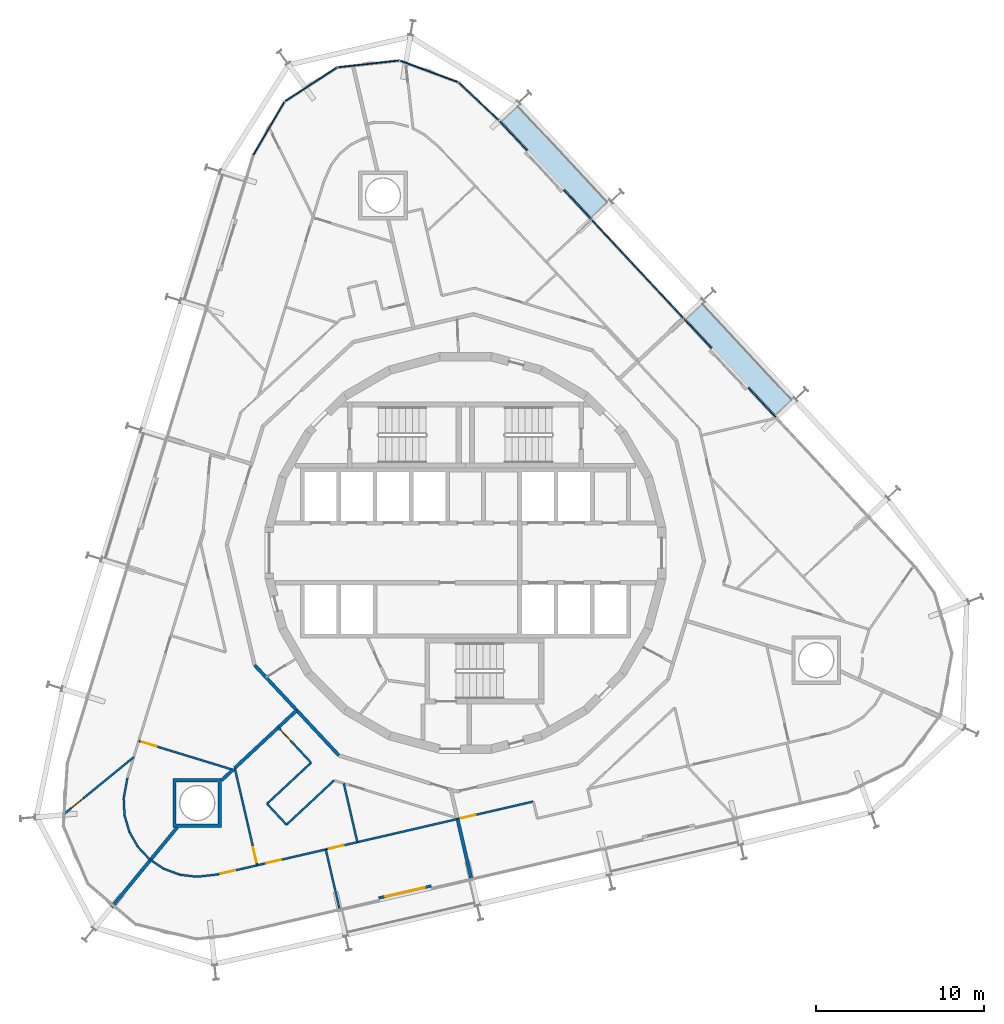
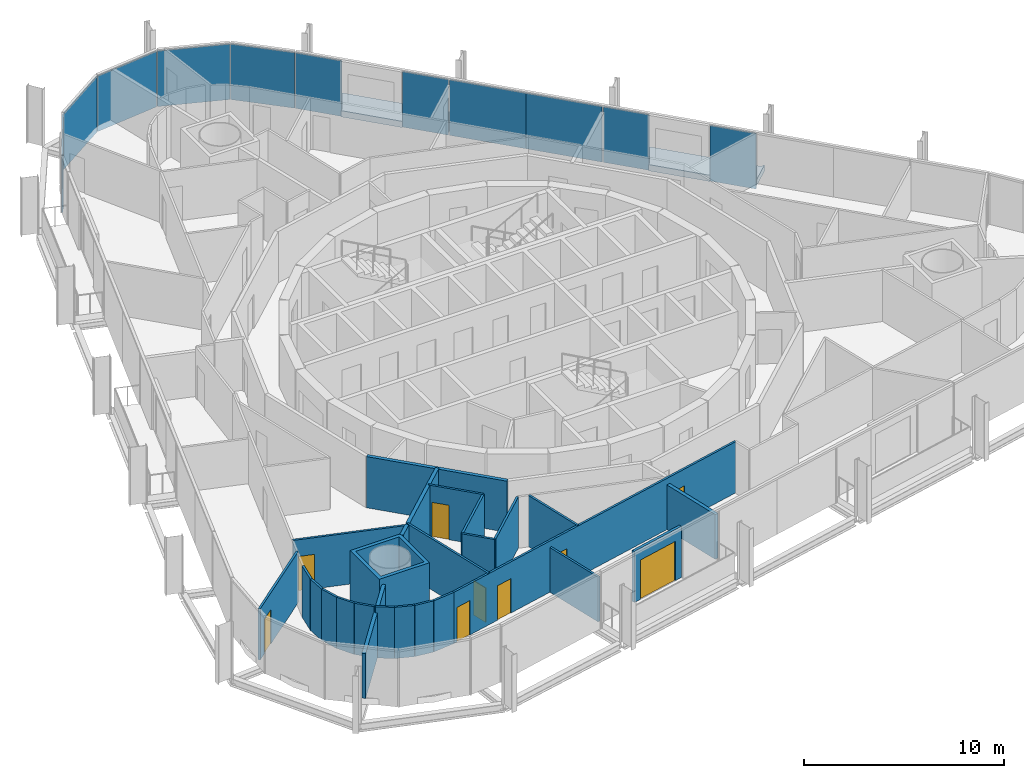
# One storey, part 11 of 18: 26 walls, 11 plates, 9 doors, 2 slabs, 9 openings, 2 elements without a shape of their own.
"""IFC4 building model written with IfcOpenShell, lengths in metres."""

import ifcopenshell
import ifcopenshell.guid

model = None  # the IFC model being written
_history = None  # IfcOwnerHistory: only IFC2X3 demands one
_inside = {}  # id of a spatial element -> (the spatial element, [elements in it])
_under = {}  # id of a project, library or spatial element -> (it, [spatial elements below it])
_declared = {}  # id of a project -> (the project, [libraries it declares])
_typed = {}  # id of a type object -> (the type object, [elements of that type])
_made_of = {}  # id of a material, layer set ... -> (it, [elements and type objects made of it])


def new_model(schema):
    """Start an empty IFC model of exactly this schema.

    Asked for "IFC4X3", IfcOpenShell would pick the latest addendum, in which some entities
    have other attributes; the version numbers below select the first issue.
    IFC2X3 requires an IfcOwnerHistory on every rooted entity: one is made here for all.
    """
    global model, _history
    if schema == "IFC4X3":
        model = ifcopenshell.file(schema_version=(4, 3, 0, 0))
    else:
        model = ifcopenshell.file(schema=schema)
    _inside.clear()
    _under.clear()
    _declared.clear()
    _typed.clear()
    _made_of.clear()
    _history = None
    if model.schema == "IFC2X3":
        org = make("IfcOrganization", Name="unknown")
        user = make(
            "IfcPersonAndOrganization",
            ThePerson=make("IfcPerson", FamilyName="unknown"),
            TheOrganization=org,
        )
        app = make(
            "IfcApplication",
            ApplicationDeveloper=org,
            Version="unknown",
            ApplicationFullName="unknown",
            ApplicationIdentifier="unknown",
        )
        _history = make(
            "IfcOwnerHistory",
            OwningUser=user,
            OwningApplication=app,
            ChangeAction="ADDED",
            CreationDate=0,
        )
    return model


def make(cls, **values):
    """One entity of the class cls with the attributes given. An attribute that is None is left unset."""
    return model.create_entity(
        cls, **{name: value for name, value in values.items() if value is not None}
    )


def rooted(cls, **values):
    """An entity with a GlobalId (a new one), such as an element, a storey or a relation."""
    return make(cls, GlobalId=ifcopenshell.guid.new(), OwnerHistory=_history, **values)


def si_unit(unit_type, name, prefix=None):
    """IfcSIUnit, for example si_unit("LENGTHUNIT", "METRE", prefix="MILLI")."""
    return make("IfcSIUnit", UnitType=unit_type, Prefix=prefix, Name=name)


def assignment(units):
    """IfcUnitAssignment: the units of a project."""
    return None if units is None else make("IfcUnitAssignment", Units=units)


def point(xyz):
    """IfcCartesianPoint."""
    return None if xyz is None else make("IfcCartesianPoint", Coordinates=xyz)


def direction(xyz):
    """IfcDirection."""
    return None if xyz is None else make("IfcDirection", DirectionRatios=xyz)


def frame(location, z_axis=None, x_axis=None):
    """IfcAxis2Placement3D, a coordinate frame: its origin and axes. An axis left out is left unset."""
    return make(
        "IfcAxis2Placement3D",
        Location=point(location),
        Axis=direction(z_axis),
        RefDirection=direction(x_axis),
    )


def frame_2d(location, x_axis=None):
    """IfcAxis2Placement2D, a coordinate frame in the plane: its origin and x axis."""
    return make(
        "IfcAxis2Placement2D", Location=point(location), RefDirection=direction(x_axis)
    )


def origin():
    """The frame at (0, 0, 0) with its axes left unset."""
    return frame((0.0, 0.0, 0.0))


def origin_2d():
    """The frame at (0, 0) in the plane with its x axis left unset."""
    return frame_2d((0.0, 0.0))


def place(relative_to, where):
    """IfcLocalPlacement: puts the frame where relative to a parent placement (None: the world)."""
    return make(
        "IfcLocalPlacement", PlacementRelTo=relative_to, RelativePlacement=where
    )


def context(
    kind, dimensions, precision=None, world=None, true_north=None, identifier=None
):
    """IfcGeometricRepresentationContext, for example the 3D "Model" context."""
    return make(
        "IfcGeometricRepresentationContext",
        ContextIdentifier=identifier,
        ContextType=kind,
        CoordinateSpaceDimension=dimensions,
        Precision=precision,
        WorldCoordinateSystem=world,
        TrueNorth=true_north,
    )


def subcontext(parent, identifier, kind, view, scale=None):
    """IfcGeometricRepresentationSubContext, for example "Body" below "Model"."""
    return make(
        "IfcGeometricRepresentationSubContext",
        ContextIdentifier=identifier,
        ContextType=kind,
        ParentContext=parent,
        TargetScale=scale,
        TargetView=view,
    )


def project(units=None, contexts=None):
    """IfcProject with its units and contexts."""
    return rooted(
        "IfcProject",
        Name="project",
        RepresentationContexts=contexts,
        UnitsInContext=assignment(units),
    )


def spatial(cls, under=None, at=None, **own):
    """A site, building, storey or space (cls), placed at a placement, below another one or the project."""
    s = rooted(cls, ObjectPlacement=at, **own)
    if under is not None:
        _under.setdefault(under.id(), (under, []))[1].append(s)
    return s


def polyline(points):
    """IfcPolyline through the points."""
    return make("IfcPolyline", Points=[point(p) for p in points])


def profile(cls, at=None, kind="AREA", **sizes):
    """A parametric profile (cls). Its sizes go by their IFC names, for example OverallWidth=200.0."""
    return make(cls, ProfileType=kind, Position=at, **sizes)


def rectangle(**sizes):
    """IfcRectangleProfileDef."""
    return profile("IfcRectangleProfileDef", **sizes)


def outline(outer, holes=None, kind="AREA"):
    """IfcArbitraryClosedProfileDef: a profile drawn as a closed curve; with holes, ...WithVoids."""
    if holes is None:
        return make("IfcArbitraryClosedProfileDef", ProfileType=kind, OuterCurve=outer)
    return make(
        "IfcArbitraryProfileDefWithVoids",
        ProfileType=kind,
        OuterCurve=outer,
        InnerCurves=holes,
    )


def extrude(swept, where, along, depth):
    """IfcExtrudedAreaSolid: the profile swept, set in the frame where, extruded along a direction by depth."""
    return make(
        "IfcExtrudedAreaSolid",
        SweptArea=swept,
        Position=where,
        ExtrudedDirection=direction(along),
        Depth=depth,
    )


def shape(context_of_items, identifier, shape_type, items):
    """IfcShapeRepresentation: the items that make up one representation, for example the "Body"."""
    return make(
        "IfcShapeRepresentation",
        ContextOfItems=context_of_items,
        RepresentationIdentifier=identifier,
        RepresentationType=shape_type,
        Items=items,
    )


def material(Name=None, Category=None):
    """IfcMaterial."""
    return make("IfcMaterial", Name=Name, Category=Category)


def layer(
    of_material, thickness, ventilated=None, Name=None, Category=None, Priority=None
):
    """IfcMaterialLayer: one layer of a wall or slab, of a material (None: an air gap)."""
    return make(
        "IfcMaterialLayer",
        Material=of_material,
        LayerThickness=thickness,
        IsVentilated=ventilated,
        Name=Name,
        Category=Category,
        Priority=Priority,
    )


def layer_set(layers, Name=None):
    """IfcMaterialLayerSet."""
    return make("IfcMaterialLayerSet", MaterialLayers=layers, LayerSetName=Name)


def made_of(thing, what):
    """Note that an element or type object is made of a material, layer set ...; save() writes the relation."""
    if what is not None:
        _made_of.setdefault(what.id(), (what, []))[1].append(thing)
    return thing


def type_object(cls, material=None, **own):
    """A type object (cls), such as IfcWallType, which elements share."""
    return made_of(rooted(cls, **own), material)


def element(
    cls,
    number,
    at=None,
    inside=None,
    cuts=None,
    type_object=None,
    material=None,
    context=None,
    identifier="Body",
    shape_type=None,
    held_by="IfcProductDefinitionShape",
    body=None,
    shapes=None,
    **own,
):
    """One element of the class cls, such as IfcWall. Its Tag is "e" and its number.

    at: its placement. inside: the storey or other place that contains it. cuts: it is an
    opening in that element (IfcRelVoidsElement). A single representation is given by context,
    identifier, shape_type and body (its items); several are given by shapes. held_by: the class
    of the entity that holds the representations. save() writes the other relations.
    """
    e = rooted(cls, Tag="e%d" % number, ObjectPlacement=at, **own)
    if body is not None:
        shapes = [shape(context, identifier, shape_type, body)]
    if shapes is not None:
        e.Representation = make(held_by, Representations=shapes)
    if inside is not None:
        _inside.setdefault(inside.id(), (inside, []))[1].append(e)
    if cuts is not None:
        rooted(
            "IfcRelVoidsElement", RelatingBuildingElement=cuts, RelatedOpeningElement=e
        )
    if type_object is not None:
        _typed.setdefault(type_object.id(), (type_object, []))[1].append(e)
    return made_of(e, material)


def fill(opening, filler):
    """IfcRelFillsElement: the door or window that sits in an opening."""
    return rooted(
        "IfcRelFillsElement",
        RelatingOpeningElement=opening,
        RelatedBuildingElement=filler,
    )


def aggregate(whole, parts):
    """IfcRelAggregates: a whole, such as a stair, and the parts it consists of."""
    return rooted("IfcRelAggregates", RelatingObject=whole, RelatedObjects=parts)


def save(model, path):
    """Write the relations noted so far, then the file.

    IfcRelAggregates (storeys below a building ...), IfcRelContainedInSpatialStructure (elements
    in a storey), IfcRelDefinesByType, IfcRelAssociatesMaterial and IfcRelDeclares: one each for
    every whole, place, type object, material and project.
    """
    for whole, parts in _under.values():
        aggregate(whole, parts)
    for where, things in _inside.values():
        rooted(
            "IfcRelContainedInSpatialStructure",
            RelatedElements=things,
            RelatingStructure=where,
        )
    for kind, things in _typed.values():
        rooted("IfcRelDefinesByType", RelatedObjects=things, RelatingType=kind)
    for what, things in _made_of.values():
        rooted("IfcRelAssociatesMaterial", RelatedObjects=things, RelatingMaterial=what)
    for by, libraries in _declared.values():
        rooted("IfcRelDeclares", RelatingContext=by, RelatedDefinitions=libraries)
    model.write(path)


model = new_model("IFC4")

# Units and contexts
model_context = context("Model", 3, precision=1e-05, world=origin(), true_north=direction((0.0, 1.0)))
body_context = subcontext(model_context, "Body", "Model", "MODEL_VIEW")
ifc_project = project(units=[si_unit("LENGTHUNIT", "METRE"), si_unit("AREAUNIT", "SQUARE_METRE"), si_unit("VOLUMEUNIT", "CUBIC_METRE"), si_unit("PLANEANGLEUNIT", "RADIAN"), si_unit("MASSUNIT", "GRAM", prefix="KILO")], contexts=[model_context])

# Site, building, storey
site_placement = place(None, origin())
site = spatial("IfcSite", under=ifc_project, at=site_placement, CompositionType="ELEMENT")
building_placement = place(site_placement, origin())
building = spatial("IfcBuilding", under=site, at=building_placement, Name="Spindle Arch Residences", CompositionType="ELEMENT")
storey_placement = place(building_placement, frame((0.0, 0.0, 134.39990234375)))
storey = spatial("IfcBuildingStorey", under=building, at=storey_placement, Name="L33", CompositionType="ELEMENT", Elevation=134.39990234375)

# Slabs
ifc_material_1 = material(Name="Concrete C40/50", Category="concrete")
ifc_layer_1 = layer(ifc_material_1, 0.3798828125)
ifc_layer_set_1 = layer_set([ifc_layer_1], Name="Balcony slab 380")
slab_type = type_object("IfcSlabType", Name="Balcony slab 380", PredefinedType="FLOOR", material=ifc_layer_set_1)
slab_1_placement = place(storey_placement, frame((0.0, 0.0, -0.3798828125)))
element("IfcSlab", 1, at=slab_1_placement, inside=storey, type_object=slab_type, Name="Balcony L33 bay 7", PredefinedType="FLOOR", context=body_context, shape_type="SweptSolid", body=[
    extrude(outline(polyline([(19.53466796875, 9.170166015625), (19.483642578125, 9.22509765625), (19.373779296875, 9.122802734375), (14.1025390625, 14.775634765625), (14.21240234375, 14.8779296875), (14.1611328125, 14.9326171875), (13.071533203125, 13.91650390625), (14.6669921875, 12.20556640625), (14.550048828125, 12.096435546875), (16.732421875, 9.756103515625), (16.849365234375, 9.865234375), (18.445068359375, 8.154052734375), (19.53466796875, 9.170166015625)])), origin(), (0.0, 0.0, 1.0), 0.3798828125),
])
slab_2_placement = place(storey_placement, frame((0.0, 0.0, -0.3798828125)))
element("IfcSlab", 2, at=slab_2_placement, inside=storey, type_object=slab_type, Name="Balcony L33 bay 9", PredefinedType="FLOOR", context=body_context, shape_type="SweptSolid", body=[
    extrude(outline(polyline([(8.5830078125, 20.91455078125), (8.53173828125, 20.969482421875), (8.422119140625, 20.8671875), (3.15087890625, 26.519775390625), (3.260498046875, 26.6220703125), (3.20947265625, 26.677001953125), (2.11962890625, 25.660888671875), (3.71533203125, 23.94970703125), (3.59814453125, 23.840576171875), (5.78076171875, 21.500244140625), (5.897705078125, 21.609375), (7.4931640625, 19.8984375), (8.5830078125, 20.91455078125)])), origin(), (0.0, 0.0, 1.0), 0.3798828125),
])

# Curtain wall, plates
ifc_material_2 = material(Name="Aluminium bronze unitised frame with tinted glass", Category="aluminium")
ifc_layer_2 = layer(ifc_material_2, 0.159912109375)
ifc_layer_set_2 = layer_set([ifc_layer_2], Name="CW-C typical residential unitised wall")
curtain_wall_type_1 = type_object("IfcCurtainWallType", Name="CW-C typical residential unitised wall", PredefinedType="NOTDEFINED", material=ifc_layer_set_2)
curtain_wall_1_placement = place(storey_placement, origin())
curtain_wall_1 = element("IfcCurtainWall", 3, at=curtain_wall_1_placement, inside=storey, type_object=curtain_wall_type_1, Name="CW-C L33 run 2", PredefinedType="NOTDEFINED")
ifc_material_3 = material(Name="Tinted double glazing over non-combustible spandrel zone with 0.55 mm stainless steel cavity fire stop (K0)", Category="steel")
ifc_layer_3 = layer(ifc_material_3, 0.070068359375)
ifc_layer_set_3 = layer_set([ifc_layer_3], Name="Unitised glass panel with spandrel zone and stainless cavity fire stop")
plate_type = type_object("IfcPlateType", Name="Unitised glass panel with spandrel zone and stainless cavity fire stop", PredefinedType="CURTAIN_PANEL", material=ifc_layer_set_3)
plate_1_placement = place(storey_placement, frame((17.60400390625, 8.9384765625, -0.3798828125), z_axis=(0.0, 0.0, 1.0), x_axis=(-0.681998360062, 0.731353701619, 0.0)))
plate_1 = element("IfcPlate", 4, at=plate_1_placement, type_object=plate_type, Name="CW-C unit 06L", PredefinedType="CURTAIN_PANEL", context=body_context, shape_type="SweptSolid", body=[
    extrude(rectangle(XDim=2.384521484375, YDim=0.070068359375, at=origin_2d()), origin(), (0.0, 0.0, 1.0), 3.3798828125),
])
plate_2_placement = place(storey_placement, frame((13.79541015625, 13.02294921875, -0.3798828125), z_axis=(0.0, 0.0, 1.0), x_axis=(-0.681998360062, 0.731353701619, 0.0)))
plate_2 = element("IfcPlate", 5, at=plate_2_placement, type_object=plate_type, Name="CW-C unit 06R", PredefinedType="CURTAIN_PANEL", context=body_context, shape_type="SweptSolid", body=[
    extrude(rectangle(XDim=2.384521484375, YDim=0.070068359375, at=origin_2d()), origin(), (0.0, 0.0, 1.0), 3.3798828125),
])
plate_3_placement = place(storey_placement, frame((11.58251953125, 15.395751953125, -0.3798828125), z_axis=(0.0, 0.0, 1.0), x_axis=(-0.681998360062, 0.731353701619, 0.0)))
plate_3 = element("IfcPlate", 6, at=plate_3_placement, type_object=plate_type, Name="CW-C unit 07A", PredefinedType="CURTAIN_PANEL", context=body_context, shape_type="SweptSolid", body=[
    extrude(rectangle(XDim=3.984619140625, YDim=0.070068359375, at=origin_2d()), origin(), (0.0, 0.0, 1.0), 3.3798828125),
])
plate_4_placement = place(storey_placement, frame((8.864990234375, 18.31005859375, -0.3798828125), z_axis=(0.0, 0.0, 1.0), x_axis=(-0.681998360062, 0.731353701619, 0.0)))
plate_4 = element("IfcPlate", 7, at=plate_4_placement, type_object=plate_type, Name="CW-C unit 07B", PredefinedType="CURTAIN_PANEL", context=body_context, shape_type="SweptSolid", body=[
    extrude(rectangle(XDim=3.984619140625, YDim=0.070068359375, at=origin_2d()), origin(), (0.0, 0.0, 1.0), 3.3798828125),
])
plate_5_placement = place(storey_placement, frame((6.65234375, 20.682861328125, -0.3798828125), z_axis=(0.0, 0.0, 1.0), x_axis=(-0.681998360062, 0.731353701619, 0.0)))
plate_5 = element("IfcPlate", 8, at=plate_5_placement, type_object=plate_type, Name="CW-C unit 08L", PredefinedType="CURTAIN_PANEL", context=body_context, shape_type="SweptSolid", body=[
    extrude(rectangle(XDim=2.384521484375, YDim=0.070068359375, at=origin_2d()), origin(), (0.0, 0.0, 1.0), 3.3798828125),
])
plate_6_placement = place(storey_placement, frame((2.84375, 24.767333984375, -0.3798828125), z_axis=(0.0, 0.0, 1.0), x_axis=(-0.681998360062, 0.731353701619, 0.0)))
plate_6 = element("IfcPlate", 9, at=plate_6_placement, type_object=plate_type, Name="CW-C unit 08R", PredefinedType="CURTAIN_PANEL", context=body_context, shape_type="SweptSolid", body=[
    extrude(rectangle(XDim=2.384521484375, YDim=0.070068359375, at=origin_2d()), origin(), (0.0, 0.0, 1.0), 3.3798828125),
])
aggregate(curtain_wall_1, [plate_1, plate_2, plate_3, plate_4, plate_5, plate_6])

ifc_material_4 = material(Name="Aluminium bronze unitised frame with tinted glass", Category="aluminium")
ifc_layer_4 = layer(ifc_material_4, 0.159912109375)
ifc_layer_set_4 = layer_set([ifc_layer_4], Name="CW-D corner wall on the fillet arcs")
curtain_wall_type_2 = type_object("IfcCurtainWallType", Name="CW-D corner wall on the fillet arcs", PredefinedType="NOTDEFINED", material=ifc_layer_set_4)
curtain_wall_2_placement = place(storey_placement, origin())
curtain_wall_2 = element("IfcCurtainWall", 10, at=curtain_wall_2_placement, inside=storey, type_object=curtain_wall_type_2, Name="CW-D L33 run 3", PredefinedType="NOTDEFINED")
plate_7_placement = place(storey_placement, frame((0.794677734375, 26.8046875, -0.3798828125), z_axis=(0.0, 0.0, 1.0), x_axis=(-0.728270412102, 0.685289870681, 0.0)))
plate_7 = element("IfcPlate", 11, at=plate_7_placement, type_object=plate_type, Name="CW-D unit 00", PredefinedType="CURTAIN_PANEL", context=body_context, shape_type="SweptSolid", body=[
    extrude(rectangle(XDim=3.277587890625, YDim=0.070068359375, at=origin_2d()), origin(), (0.0, 0.0, 1.0), 3.3798828125),
])
plate_8_placement = place(storey_placement, frame((-2.16796875, 28.595703125, -0.3798828125), z_axis=(0.0, 0.0, 1.0), x_axis=(-0.937686936403, 0.347481235896, 0.0)))
plate_8 = element("IfcPlate", 12, at=plate_8_placement, type_object=plate_type, Name="CW-D unit 01", PredefinedType="CURTAIN_PANEL", context=body_context, shape_type="SweptSolid", body=[
    extrude(rectangle(XDim=3.666748046875, YDim=0.070068359375, at=origin_2d()), origin(), (0.0, 0.0, 1.0), 3.3798828125),
])
plate_9_placement = place(storey_placement, frame((-5.76708984375, 29.037841796875, -0.3798828125), z_axis=(0.0, 0.0, 1.0), x_axis=(-0.993896946294, -0.110312556619, 0.0)))
plate_9 = element("IfcPlate", 13, at=plate_9_placement, type_object=plate_type, Name="CW-D unit 02", PredefinedType="CURTAIN_PANEL", context=body_context, shape_type="SweptSolid", body=[
    extrude(rectangle(XDim=3.666748046875, YDim=0.070068359375, at=origin_2d()), origin(), (0.0, 0.0, 1.0), 3.3798828125),
])
plate_10_placement = place(storey_placement, frame((-9.181884765625, 27.8173828125, -0.3798828125), z_axis=(0.0, 0.0, 1.0), x_axis=(-0.838670567755, -0.544639035308, 0.0)))
plate_10 = element("IfcPlate", 14, at=plate_10_placement, type_object=plate_type, Name="CW-D unit 03", PredefinedType="CURTAIN_PANEL", context=body_context, shape_type="SweptSolid", body=[
    extrude(rectangle(XDim=3.666748046875, YDim=0.070068359375, at=origin_2d()), origin(), (0.0, 0.0, 1.0), 3.3798828125),
])
plate_11_placement = place(storey_placement, frame((-11.685791015625, 25.194091796875, -0.3798828125), z_axis=(0.0, 0.0, 1.0), x_axis=(-0.505029844161, -0.863101880723, 0.0)))
plate_11 = element("IfcPlate", 15, at=plate_11_placement, type_object=plate_type, Name="CW-D unit 04", PredefinedType="CURTAIN_PANEL", context=body_context, shape_type="SweptSolid", body=[
    extrude(rectangle(XDim=3.666748046875, YDim=0.070068359375, at=origin_2d()), origin(), (0.0, 0.0, 1.0), 3.3798828125),
])
aggregate(curtain_wall_2, [plate_7, plate_8, plate_9, plate_10, plate_11])

# Wall
ifc_material_5 = material(Name="Calcium silicate block, plastered")
ifc_layer_5 = layer(ifc_material_5, 0.199951171875)
ifc_layer_set_5 = layer_set([ifc_layer_5], Name="Corridor wall 200")
wall_type_1 = type_object("IfcWallType", Name="Corridor wall 200", PredefinedType="STANDARD", material=ifc_layer_set_5)
wall_1_placement = place(storey_placement, frame((-12.523193359375, -6.65869140625, 0.0), z_axis=(0.0, 0.0, 1.0), x_axis=(0.682001841105, -0.731350455479, 0.0)))
element("IfcWall", 16, at=wall_1_placement, inside=storey, type_object=wall_type_1, Name="Corridor wall R3C0-W012", PredefinedType="STANDARD", context=body_context, shape_type="SweptSolid", body=[
    extrude(rectangle(XDim=7.341796875, YDim=0.199951171875, at=frame_2d((3.6708984375, 0.0))), origin(), (0.0, 0.0, 1.0), 3.1201171875),
])

# Wall, opening, door
ifc_material_6 = material(Name="Plasterboard on steel studs", Category="steel")
ifc_layer_6 = layer(ifc_material_6, 0.1201171875)
ifc_layer_set_6 = layer_set([ifc_layer_6], Name="Flat partition 120")
wall_type_2 = type_object("IfcWallType", Name="Flat partition 120", PredefinedType="PARTITIONING", material=ifc_layer_set_6)
wall_2_placement = place(storey_placement, frame((-19.403564453125, -11.1669921875, 0.0), z_axis=(0.0, 0.0, 1.0), x_axis=(0.956314306829, -0.292340463423, 0.0)))
wall_2 = element("IfcWall", 17, at=wall_2_placement, inside=storey, type_object=wall_type_2, Name="Flat partition R3C0-W080", PredefinedType="PARTITIONING", context=body_context, shape_type="SweptSolid", body=[
    extrude(rectangle(XDim=5.85009765625, YDim=0.1201171875, at=frame_2d((2.925048828125, 0.0))), origin(), (0.0, 0.0, 1.0), 3.1201171875),
])
opening_1_placement = place(wall_2_placement, frame((0.199951171875, 0.0, 0.0)))
opening_1 = element("IfcOpeningElement", 18, at=opening_1_placement, cuts=wall_2, Name="Opening R3C0-ID20", PredefinedType="OPENING", context=body_context, shape_type="SweptSolid", body=[
    extrude(rectangle(XDim=0.89990234375, YDim=2.10009765625, at=frame_2d((0.449951171875, 1.050048828125))), frame((0.0, 0.070068359375, 0.0), z_axis=(0.0, -1.0, 0.0), x_axis=(1.0, 0.0, 0.0)), (0.0, 0.0, 1.0), 0.14013671875),
])
ifc_material_7 = material(Name="Timber door set", Category="wood")
door_type_1 = type_object("IfcDoorType", Name="Room door 900x2100", OperationType="NOTDEFINED", PredefinedType="DOOR", material=ifc_material_7)
door_1_placement = place(opening_1_placement, origin())
door_1 = element("IfcDoor", 19, at=door_1_placement, inside=storey, type_object=door_type_1, Name="Room door R3C0-ID20", OperationType="SINGLE_SWING_RIGHT", OverallHeight=2.10009765625, OverallWidth=0.89990234375, PredefinedType="DOOR", context=body_context, shape_type="SweptSolid", body=[
    extrude(rectangle(XDim=0.89990234375, YDim=2.10009765625, at=frame_2d((0.449951171875, 1.050048828125))), frame((0.0, 0.02490234375, 0.0), z_axis=(0.0, -1.0, 0.0), x_axis=(1.0, 0.0, 0.0)), (0.0, 0.0, 1.0), 0.050048828125),
])
fill(opening_1, door_1)

wall_3_placement = place(storey_placement, frame((-23.852294921875, -15.52001953125, 0.0), z_axis=(0.0, 0.0, 1.0), x_axis=(0.774546990858, 0.632516370502, 0.0)))
wall_3 = element("IfcWall", 20, at=wall_3_placement, inside=storey, type_object=wall_type_2, Name="Flat partition R3C0-W083", PredefinedType="PARTITIONING", context=body_context, shape_type="SweptSolid", body=[
    extrude(rectangle(XDim=5.36474609375, YDim=0.1201171875, at=frame_2d((2.682373046875, 0.0))), origin(), (0.0, 0.0, 1.0), 3.1201171875),
])
opening_2_placement = place(wall_3_placement, frame((0.60009765625, 0.0, 0.0)))
opening_2 = element("IfcOpeningElement", 21, at=opening_2_placement, cuts=wall_3, Name="Opening R3C0-ID21", PredefinedType="OPENING", context=body_context, shape_type="SweptSolid", body=[
    extrude(rectangle(XDim=0.89990234375, YDim=2.10009765625, at=frame_2d((0.449951171875, 1.050048828125))), frame((0.0, 0.070068359375, 0.0), z_axis=(0.0, -1.0, 0.0), x_axis=(1.0, 0.0, 0.0)), (0.0, 0.0, 1.0), 0.14013671875),
])
door_2_placement = place(opening_2_placement, origin())
door_2 = element("IfcDoor", 22, at=door_2_placement, inside=storey, type_object=door_type_1, Name="Room door R3C0-ID21", OperationType="SINGLE_SWING_RIGHT", OverallHeight=2.10009765625, OverallWidth=0.89990234375, PredefinedType="DOOR", context=body_context, shape_type="SweptSolid", body=[
    extrude(rectangle(XDim=0.89990234375, YDim=2.10009765625, at=frame_2d((0.449951171875, 1.050048828125))), frame((0.0, 0.02490234375, 0.0), z_axis=(0.0, -1.0, 0.0), x_axis=(1.0, 0.0, 0.0)), (0.0, 0.0, 1.0), 0.050048828125),
])
fill(opening_2, door_2)

# Walls
wall_4_placement = place(storey_placement, frame((-20.07666015625, -13.3681640625, 0.0), z_axis=(0.0, 0.0, 1.0), x_axis=(-0.179288174895, -0.983796600087, 0.0)))
element("IfcWall", 23, at=wall_4_placement, inside=storey, type_object=wall_type_2, Name="Flat partition R3C0-W084", PredefinedType="PARTITIONING", context=body_context, shape_type="SweptSolid", body=[
    extrude(rectangle(XDim=1.226806640625, YDim=0.1201171875, at=frame_2d((0.61328125, 0.0))), origin(), (0.0, 0.0, 1.0), 3.1201171875),
])
wall_5_placement = place(storey_placement, frame((-20.296630859375, -14.5751953125, 0.0), z_axis=(0.0, 0.0, 1.0), x_axis=(0.052142637988, -0.998639647372, 0.0)))
element("IfcWall", 24, at=wall_5_placement, inside=storey, type_object=wall_type_2, Name="Flat partition R3C0-W085", PredefinedType="PARTITIONING", context=body_context, shape_type="SweptSolid", body=[
    extrude(rectangle(XDim=1.01611328125, YDim=0.1201171875, at=frame_2d((0.508056640625, 0.0))), origin(), (0.0, 0.0, 1.0), 3.1201171875),
])
for number, where, z_axis, x_axis, name in (
    (25, (-20.24365234375, -15.58984375, 0.0), (0.0, 0.0, 1.0), (0.281411609627, -0.959587153919, 0.0), "Flat partition R3C0-W086"),
    (26, (-19.957763671875, -16.564697265625, 0.0), (0.0, 0.0, 1.0), (0.494818454809, -0.868996373284, 0.0), "Flat partition R3C0-W087"),
    (27, (-19.455078125, -17.447509765625, 0.0), (0.0, 0.0, 1.0), (0.682044196941, -0.731310955353, 0.0), "Flat partition R3C0-W088"),
):
    element("IfcWall", number, at=place(storey_placement, frame(where, z_axis=z_axis, x_axis=x_axis)), inside=storey, type_object=wall_type_2, Name=name, PredefinedType="PARTITIONING", context=body_context, shape_type="SweptSolid", body=[
        extrude(rectangle(XDim=1.015869140625, YDim=0.1201171875, at=frame_2d((0.5078125, 0.0))), origin(), (0.0, 0.0, 1.0), 3.1201171875),
    ])

# Wall, opening, door
wall_6_placement = place(storey_placement, frame((-11.11669921875, -10.366455078125, 0.0), z_axis=(0.0, 0.0, 1.0), x_axis=(0.682029016154, -0.73132511315, 0.0)))
wall_6 = element("IfcWall", 28, at=wall_6_placement, inside=storey, type_object=wall_type_2, Name="Flat partition R3C0-W089", PredefinedType="PARTITIONING", context=body_context, shape_type="SweptSolid", body=[
    extrude(rectangle(XDim=2.857666015625, YDim=0.1201171875, at=frame_2d((1.4287109375, 0.0))), origin(), (0.0, 0.0, 1.0), 3.1201171875),
])
opening_3_placement = place(wall_6_placement, frame((0.199951171875, 0.0, 0.0)))
opening_3 = element("IfcOpeningElement", 29, at=opening_3_placement, cuts=wall_6, Name="Opening R3C0-ID22", PredefinedType="OPENING", context=body_context, shape_type="SweptSolid", body=[
    extrude(rectangle(XDim=0.89990234375, YDim=2.10009765625, at=frame_2d((0.449951171875, 1.050048828125))), frame((0.0, 0.070068359375, 0.0), z_axis=(0.0, -1.0, 0.0), x_axis=(1.0, 0.0, 0.0)), (0.0, 0.0, 1.0), 0.14013671875),
])
door_3_placement = place(opening_3_placement, origin())
door_3 = element("IfcDoor", 30, at=door_3_placement, inside=storey, type_object=door_type_1, Name="Room door R3C0-ID22", OperationType="SINGLE_SWING_LEFT", OverallHeight=2.10009765625, OverallWidth=0.89990234375, PredefinedType="DOOR", context=body_context, shape_type="SweptSolid", body=[
    extrude(rectangle(XDim=0.89990234375, YDim=2.10009765625, at=frame_2d((0.449951171875, 1.050048828125))), frame((0.0, 0.02490234375, 0.0), z_axis=(0.0, -1.0, 0.0), x_axis=(1.0, 0.0, 0.0)), (0.0, 0.0, 1.0), 0.050048828125),
])
fill(opening_3, door_3)

# Walls
wall_7_placement = place(storey_placement, frame((-9.167724609375, -12.456298828125, 0.0), z_axis=(0.0, 0.0, 1.0), x_axis=(-0.731372816465, -0.681977861324, 0.0)))
element("IfcWall", 31, at=wall_7_placement, inside=storey, type_object=wall_type_2, Name="Flat partition R3C0-W090", PredefinedType="PARTITIONING", context=body_context, shape_type="SweptSolid", body=[
    extrude(rectangle(XDim=3.578369140625, YDim=0.1201171875, at=frame_2d((1.7890625, 0.0))), origin(), (0.0, 0.0, 1.0), 3.1201171875),
])
wall_8_placement = place(storey_placement, frame((-11.784912109375, -14.896728515625, 0.0), z_axis=(0.0, 0.0, 1.0), x_axis=(0.681975367709, -0.73137514166, 0.0)))
element("IfcWall", 32, at=wall_8_placement, inside=storey, type_object=wall_type_2, Name="Flat partition R3C0-W091", PredefinedType="PARTITIONING", context=body_context, shape_type="SweptSolid", body=[
    extrude(rectangle(XDim=1.7001953125, YDim=0.1201171875, at=frame_2d((0.85009765625, 0.0))), origin(), (0.0, 0.0, 1.0), 3.1201171875),
])
wall_9_placement = place(storey_placement, frame((-10.62548828125, -16.14013671875, 0.0), z_axis=(0.0, 0.0, 1.0), x_axis=(0.73135399721, 0.68199804308, 0.0)))
element("IfcWall", 33, at=wall_9_placement, inside=storey, type_object=wall_type_2, Name="Flat partition R3C0-W092", PredefinedType="PARTITIONING", context=body_context, shape_type="SweptSolid", body=[
    extrude(rectangle(XDim=3.8583984375, YDim=0.1201171875, at=frame_2d((1.92919921875, 0.0))), origin(), (0.0, 0.0, 1.0), 3.1201171875),
])

# Wall, opening, door
wall_10_placement = place(storey_placement, frame((-12.36572265625, -18.548095703125, 0.0), z_axis=(0.0, 0.0, 1.0), x_axis=(-0.224958805164, 0.974368275335, 0.0)))
wall_10 = element("IfcWall", 34, at=wall_10_placement, inside=storey, type_object=wall_type_2, Name="Flat partition R3C0-W094", PredefinedType="PARTITIONING", context=body_context, shape_type="SweptSolid", body=[
    extrude(rectangle(XDim=5.925537109375, YDim=0.1201171875, at=frame_2d((2.962890625, 0.0))), origin(), (0.0, 0.0, 1.0), 3.1201171875),
])
opening_4_placement = place(wall_10_placement, frame((0.199951171875, 0.0, 0.0)))
opening_4 = element("IfcOpeningElement", 35, at=opening_4_placement, cuts=wall_10, Name="Opening R3C0-ID23", PredefinedType="OPENING", context=body_context, shape_type="SweptSolid", body=[
    extrude(rectangle(XDim=0.89990234375, YDim=2.10009765625, at=frame_2d((0.449951171875, 1.050048828125))), frame((0.0, 0.070068359375, 0.0), z_axis=(0.0, -1.0, 0.0), x_axis=(1.0, 0.0, 0.0)), (0.0, 0.0, 1.0), 0.14013671875),
])
door_4_placement = place(opening_4_placement, origin())
door_4 = element("IfcDoor", 36, at=door_4_placement, inside=storey, type_object=door_type_1, Name="Room door R3C0-ID23", OperationType="SINGLE_SWING_LEFT", OverallHeight=2.10009765625, OverallWidth=0.89990234375, PredefinedType="DOOR", context=body_context, shape_type="SweptSolid", body=[
    extrude(rectangle(XDim=0.89990234375, YDim=2.10009765625, at=frame_2d((0.449951171875, 1.050048828125))), frame((0.0, 0.02490234375, 0.0), z_axis=(0.0, -1.0, 0.0), x_axis=(1.0, 0.0, 0.0)), (0.0, 0.0, 1.0), 0.050048828125),
])
fill(opening_4, door_4)

# Walls
wall_11_placement = place(storey_placement, frame((-18.703125, -18.22998046875, 0.0), z_axis=(0.0, 0.0, 1.0), x_axis=(0.832328473933, -0.554282699965, 0.0)))
element("IfcWall", 37, at=wall_11_placement, inside=storey, type_object=wall_type_2, Name="Flat partition R3C0-W095", PredefinedType="PARTITIONING", context=body_context, shape_type="SweptSolid", body=[
    extrude(rectangle(XDim=0.94482421875, YDim=0.1201171875, at=frame_2d((0.472412109375, 0.0))), origin(), (0.0, 0.0, 1.0), 3.1201171875),
])
wall_12_placement = place(storey_placement, frame((-17.916748046875, -18.753662109375, 0.0), z_axis=(0.0, 0.0, 1.0), x_axis=(0.937684971769, -0.347486537462, 0.0)))
element("IfcWall", 38, at=wall_12_placement, inside=storey, type_object=wall_type_2, Name="Flat partition R3C0-W096", PredefinedType="PARTITIONING", context=body_context, shape_type="SweptSolid", body=[
    extrude(rectangle(XDim=1.015869140625, YDim=0.1201171875, at=frame_2d((0.5078125, 0.0))), origin(), (0.0, 0.0, 1.0), 3.1201171875),
])
wall_13_placement = place(storey_placement, frame((-16.964111328125, -19.106689453125, 0.0), z_axis=(0.0, 0.0, 1.0), x_axis=(0.992523553766, -0.122053247474, 0.0)))
element("IfcWall", 39, at=wall_13_placement, inside=storey, type_object=wall_type_2, Name="Flat partition R3C0-W097", PredefinedType="PARTITIONING", context=body_context, shape_type="SweptSolid", body=[
    extrude(rectangle(XDim=1.01611328125, YDim=0.1201171875, at=frame_2d((0.508056640625, 0.0))), origin(), (0.0, 0.0, 1.0), 3.1201171875),
])
wall_14_placement = place(storey_placement, frame((-15.95556640625, -19.230712890625, 0.0), z_axis=(0.0, 0.0, 1.0), x_axis=(0.993883734674, 0.110431526075, 0.0)))
element("IfcWall", 40, at=wall_14_placement, inside=storey, type_object=wall_type_2, Name="Flat partition R3C0-W098", PredefinedType="PARTITIONING", context=body_context, shape_type="SweptSolid", body=[
    extrude(rectangle(XDim=1.22705078125, YDim=0.1201171875, at=frame_2d((0.613525390625, 0.0))), origin(), (0.0, 0.0, 1.0), 3.1201171875),
])

# Wall, openings, doors
wall_15_placement = place(storey_placement, frame((-14.736083984375, -19.09521484375, 0.0), z_axis=(0.0, 0.0, 1.0), x_axis=(0.974368335243, 0.224958545682, 0.0)))
wall_15 = element("IfcWall", 41, at=wall_15_placement, inside=storey, type_object=wall_type_2, Name="Flat partition R3C0-W099", PredefinedType="PARTITIONING", context=body_context, shape_type="SweptSolid", body=[
    extrude(rectangle(XDim=19.263427734375, YDim=0.1201171875, at=frame_2d((9.6318359375, 0.0))), origin(), (0.0, 0.0, 1.0), 3.1201171875),
])
opening_5_placement = place(wall_15_placement, frame((2.99267578125, 0.0, 0.0)))
opening_5 = element("IfcOpeningElement", 42, at=opening_5_placement, cuts=wall_15, Name="Opening R3C0-ID24", PredefinedType="OPENING", context=body_context, shape_type="SweptSolid", body=[
    extrude(rectangle(XDim=0.89990234375, YDim=2.10009765625, at=frame_2d((0.449951171875, 1.050048828125))), frame((0.0, 0.070068359375, 0.0), z_axis=(0.0, -1.0, 0.0), x_axis=(1.0, 0.0, 0.0)), (0.0, 0.0, 1.0), 0.14013671875),
])
opening_6_placement = place(wall_15_placement, frame((6.81005859375, 0.0, 0.0)))
opening_6 = element("IfcOpeningElement", 43, at=opening_6_placement, cuts=wall_15, Name="Opening R3C0-ID25", PredefinedType="OPENING", context=body_context, shape_type="SweptSolid", body=[
    extrude(rectangle(XDim=0.89990234375, YDim=2.10009765625, at=frame_2d((0.449951171875, 1.050048828125))), frame((0.0, 0.070068359375, 0.0), z_axis=(0.0, -1.0, 0.0), x_axis=(1.0, 0.0, 0.0)), (0.0, 0.0, 1.0), 0.14013671875),
])
opening_7_placement = place(wall_15_placement, frame((0.199951171875, 0.0, 0.0)))
opening_7 = element("IfcOpeningElement", 44, at=opening_7_placement, cuts=wall_15, Name="Opening R3C0-ID26", PredefinedType="OPENING", context=body_context, shape_type="SweptSolid", body=[
    extrude(rectangle(XDim=0.89990234375, YDim=2.10009765625, at=frame_2d((0.449951171875, 1.050048828125))), frame((0.0, 0.070068359375, 0.0), z_axis=(0.0, -1.0, 0.0), x_axis=(1.0, 0.0, 0.0)), (0.0, 0.0, 1.0), 0.14013671875),
])
opening_8_placement = place(wall_15_placement, frame((14.83935546875, 0.0, 0.0)))
opening_8 = element("IfcOpeningElement", 45, at=opening_8_placement, cuts=wall_15, Name="Opening R3C0-ID27", PredefinedType="OPENING", context=body_context, shape_type="SweptSolid", body=[
    extrude(rectangle(XDim=0.89990234375, YDim=2.10009765625, at=frame_2d((0.449951171875, 1.050048828125))), frame((0.0, 0.070068359375, 0.0), z_axis=(0.0, -1.0, 0.0), x_axis=(1.0, 0.0, 0.0)), (0.0, 0.0, 1.0), 0.14013671875),
])
door_5_placement = place(opening_5_placement, origin())
door_5 = element("IfcDoor", 46, at=door_5_placement, inside=storey, type_object=door_type_1, Name="Room door R3C0-ID24", OperationType="SINGLE_SWING_LEFT", OverallHeight=2.10009765625, OverallWidth=0.89990234375, PredefinedType="DOOR", context=body_context, shape_type="SweptSolid", body=[
    extrude(rectangle(XDim=0.89990234375, YDim=2.10009765625, at=frame_2d((0.449951171875, 1.050048828125))), frame((0.0, 0.02490234375, 0.0), z_axis=(0.0, -1.0, 0.0), x_axis=(1.0, 0.0, 0.0)), (0.0, 0.0, 1.0), 0.050048828125),
])
fill(opening_5, door_5)
door_6_placement = place(opening_6_placement, origin())
door_6 = element("IfcDoor", 47, at=door_6_placement, inside=storey, type_object=door_type_1, Name="Room door R3C0-ID25", OperationType="SINGLE_SWING_LEFT", OverallHeight=2.10009765625, OverallWidth=0.89990234375, PredefinedType="DOOR", context=body_context, shape_type="SweptSolid", body=[
    extrude(rectangle(XDim=0.89990234375, YDim=2.10009765625, at=frame_2d((0.449951171875, 1.050048828125))), frame((0.0, 0.02490234375, 0.0), z_axis=(0.0, -1.0, 0.0), x_axis=(1.0, 0.0, 0.0)), (0.0, 0.0, 1.0), 0.050048828125),
])
fill(opening_6, door_6)
door_7_placement = place(opening_7_placement, origin())
door_7 = element("IfcDoor", 48, at=door_7_placement, inside=storey, type_object=door_type_1, Name="Room door R3C0-ID26", OperationType="SINGLE_SWING_LEFT", OverallHeight=2.10009765625, OverallWidth=0.89990234375, PredefinedType="DOOR", context=body_context, shape_type="SweptSolid", body=[
    extrude(rectangle(XDim=0.89990234375, YDim=2.10009765625, at=frame_2d((0.449951171875, 1.050048828125))), frame((0.0, 0.02490234375, 0.0), z_axis=(0.0, -1.0, 0.0), x_axis=(1.0, 0.0, 0.0)), (0.0, 0.0, 1.0), 0.050048828125),
])
fill(opening_7, door_7)
door_8_placement = place(opening_8_placement, origin())
door_8 = element("IfcDoor", 49, at=door_8_placement, inside=storey, type_object=door_type_1, Name="Room door R3C0-ID27", OperationType="SINGLE_SWING_LEFT", OverallHeight=2.10009765625, OverallWidth=0.89990234375, PredefinedType="DOOR", context=body_context, shape_type="SweptSolid", body=[
    extrude(rectangle(XDim=0.89990234375, YDim=2.10009765625, at=frame_2d((0.449951171875, 1.050048828125))), frame((0.0, 0.02490234375, 0.0), z_axis=(0.0, -1.0, 0.0), x_axis=(1.0, 0.0, 0.0)), (0.0, 0.0, 1.0), 0.050048828125),
])
fill(opening_8, door_8)

# Walls
wall_16_placement = place(storey_placement, frame((-6.4189453125, -17.175048828125, 0.0), z_axis=(0.0, 0.0, 1.0), x_axis=(-0.224979003559, 0.974363611778, 0.0)))
element("IfcWall", 50, at=wall_16_placement, inside=storey, type_object=wall_type_2, Name="Flat partition R3C0-W100", PredefinedType="PARTITIONING", context=body_context, shape_type="SweptSolid", body=[
    extrude(rectangle(XDim=3.5810546875, YDim=0.1201171875, at=frame_2d((1.79052734375, 0.0))), origin(), (0.0, 0.0, 1.0), 3.1201171875),
])
ifc_material_8 = material(Name="Plasterboard on steel studs", Category="steel")
ifc_layer_7 = layer(ifc_material_8, 0.1201171875)
ifc_layer_set_7 = layer_set([ifc_layer_7], Name="Flat partition 120 under beam 2730")
wall_type_3 = type_object("IfcWallType", Name="Flat partition 120 under beam 2730", PredefinedType="PARTITIONING", material=ifc_layer_set_7)
wall_17_placement = place(storey_placement, frame((-7.485595703125, -21.115966796875, 0.0), z_axis=(0.0, 0.0, 1.0), x_axis=(-0.224943703639, 0.9743717618, 0.0)))
element("IfcWall", 51, at=wall_17_placement, inside=storey, type_object=wall_type_3, Name="Flat partition R3C0-W101", PredefinedType="PARTITIONING", context=body_context, shape_type="SweptSolid", body=[
    extrude(rectangle(XDim=3.60009765625, YDim=0.1201171875, at=frame_2d((1.800048828125, 0.0))), origin(), (0.0, 0.0, 1.0), 2.72998046875),
])
ifc_material_9 = material(Name="Calcium silicate block, plastered")
ifc_layer_8 = layer(ifc_material_9, 0.199951171875)
ifc_layer_set_8 = layer_set([ifc_layer_8], Name="Flat party wall 200")
wall_type_4 = type_object("IfcWallType", Name="Flat party wall 200", PredefinedType="STANDARD", material=ifc_layer_set_8)
wall_18_placement = place(storey_placement, frame((-13.69873046875, -12.7744140625, 0.0), z_axis=(0.0, 0.0, 1.0), x_axis=(0.731353758457, 0.681998299111, 0.0)))
element("IfcWall", 52, at=wall_18_placement, inside=storey, type_object=wall_type_4, Name="Flat party wall R3C0-W026", PredefinedType="STANDARD", context=body_context, shape_type="SweptSolid", body=[
    extrude(rectangle(XDim=5.03076171875, YDim=0.199951171875, at=frame_2d((2.515380859375, 0.0))), origin(), (0.0, 0.0, 1.0), 3.1201171875),
])
wall_19_placement = place(storey_placement, frame((-14.480224609375, -13.5029296875, 0.0), z_axis=(0.0, 0.0, 1.0), x_axis=(0.73152991834, 0.681809341806, 0.0)))
element("IfcWall", 53, at=wall_19_placement, inside=storey, type_object=wall_type_4, Name="Flat party wall R3C0-W028", PredefinedType="STANDARD", context=body_context, shape_type="SweptSolid", body=[
    extrude(rectangle(XDim=0.95751953125, YDim=0.199951171875, at=frame_2d((0.478759765625, 0.0))), origin(), (0.0, 0.0, 1.0), 3.1201171875),
])
ifc_material_10 = material(Name="Calcium silicate block, plastered")
ifc_layer_9 = layer(ifc_material_10, 0.199951171875)
ifc_layer_set_9 = layer_set([ifc_layer_9], Name="Flat party wall 200 under beam 2730")
wall_type_5 = type_object("IfcWallType", Name="Flat party wall 200 under beam 2730", PredefinedType="STANDARD", material=ifc_layer_set_9)
wall_20_placement = place(storey_placement, frame((-21.0, -21.025390625, 0.0), z_axis=(0.0, 0.0, 1.0), x_axis=(0.634846795952, 0.772638043116, 0.0)))
element("IfcWall", 54, at=wall_20_placement, inside=storey, type_object=wall_type_5, Name="Flat party wall R3C0-W027", PredefinedType="STANDARD", context=body_context, shape_type="SweptSolid", body=[
    extrude(rectangle(XDim=6.109130859375, YDim=0.199951171875, at=frame_2d((3.0546875, 0.0))), origin(), (0.0, 0.0, 1.0), 2.72998046875),
])
wall_21_placement = place(storey_placement, frame((0.337890625, -19.309814453125, 0.0), z_axis=(0.0, 0.0, 1.0), x_axis=(-0.224943703639, 0.9743717618, 0.0)))
element("IfcWall", 55, at=wall_21_placement, inside=storey, type_object=wall_type_5, Name="Flat party wall R3C0-W030", PredefinedType="STANDARD", context=body_context, shape_type="SweptSolid", body=[
    extrude(rectangle(XDim=3.60009765625, YDim=0.199951171875, at=frame_2d((1.800048828125, 0.0))), origin(), (0.0, 0.0, 1.0), 2.72998046875),
])

# Wall, opening, door
ifc_material_11 = material(Name="Non-combustible mineral wool insulated aluminium faced external wall (K0)", Category="aluminium")
ifc_layer_10 = layer(ifc_material_11, 0.159912109375)
ifc_layer_set_10 = layer_set([ifc_layer_10], Name="Insulated external wall panel 160")
wall_type_6 = type_object("IfcWallType", Name="Insulated external wall panel 160", PredefinedType="STANDARD", material=ifc_layer_set_10)
wall_22_placement = place(storey_placement, frame((-5.15087890625, -20.494873046875, 0.0), z_axis=(0.0, 0.0, 1.0), x_axis=(0.974377048991, 0.224920800284, 0.0)))
wall_22 = element("IfcWall", 56, at=wall_22_placement, inside=storey, type_object=wall_type_6, Name="External wall L33 bay 21", PredefinedType="STANDARD", context=body_context, shape_type="SweptSolid", body=[
    extrude(rectangle(XDim=3.199951171875, YDim=0.159912109375, at=frame_2d((1.60009765625, 0.0))), origin(), (0.0, 0.0, 1.0), 3.1201171875),
])
opening_9_placement = place(wall_22_placement, frame((0.39990234375, 0.0, 0.0)))
opening_9 = element("IfcOpeningElement", 57, at=opening_9_placement, cuts=wall_22, Name="Opening BD21", PredefinedType="OPENING", context=body_context, shape_type="SweptSolid", body=[
    extrude(rectangle(XDim=2.39990234375, YDim=2.39990234375, at=frame_2d((1.199951171875, 1.199951171875))), frame((0.0, 0.08984375, 0.0), z_axis=(0.0, -1.0, 0.0), x_axis=(1.0, 0.0, 0.0)), (0.0, 0.0, 1.0), 0.179931640625),
])
ifc_material_12 = material(Name="Bronze aluminium frame, tinted double glazing", Category="aluminium")
door_type_2 = type_object("IfcDoorType", Name="Sliding glazed balcony door 2400x2400", OperationType="DOUBLE_DOOR_SLIDING", PredefinedType="DOOR", material=ifc_material_12)
door_9_placement = place(opening_9_placement, origin())
door_9 = element("IfcDoor", 58, at=door_9_placement, inside=storey, type_object=door_type_2, Name="Balcony door BD21", OperationType="DOUBLE_DOOR_SLIDING", OverallHeight=2.39990234375, OverallWidth=2.39990234375, PredefinedType="DOOR", context=body_context, shape_type="SweptSolid", body=[
    extrude(rectangle(XDim=2.39990234375, YDim=2.39990234375, at=frame_2d((1.199951171875, 1.199951171875))), frame((0.0, 0.02490234375, 0.0), z_axis=(0.0, -1.0, 0.0), x_axis=(1.0, 0.0, 0.0)), (0.0, 0.0, 1.0), 0.050048828125),
])
fill(opening_9, door_9)

# Wall
ifc_material_13 = material(Name="Calcium silicate block, plastered")
ifc_layer_11 = layer(ifc_material_13, 0.199951171875)
ifc_layer_set_11 = layer_set([ifc_layer_11], Name="Mega-column casing wall 200")
wall_type_7 = type_object("IfcWallType", Name="Mega-column casing wall 200", PredefinedType="STANDARD", material=ifc_layer_set_11)
wall_23_placement = place(storey_placement, origin())
element("IfcWall", 59, at=wall_23_placement, inside=storey, type_object=wall_type_7, Name="Mega-column casing wall R3C0-WC02", PredefinedType="STANDARD", context=body_context, shape_type="SweptSolid", body=[
    extrude(outline(polyline([(-14.480224609375, -13.4052734375), (-14.480224609375, -16.30517578125), (-17.380126953125, -16.30517578125), (-17.380126953125, -13.4052734375), (-14.480224609375, -13.4052734375)]), holes=[polyline([(-17.18017578125, -16.105224609375), (-14.68017578125, -16.105224609375), (-14.68017578125, -13.605224609375), (-17.18017578125, -13.605224609375), (-17.18017578125, -16.105224609375)])]), origin(), (0.0, 0.0, 1.0), 3.1201171875),
])

save(model, "model.ifc")
